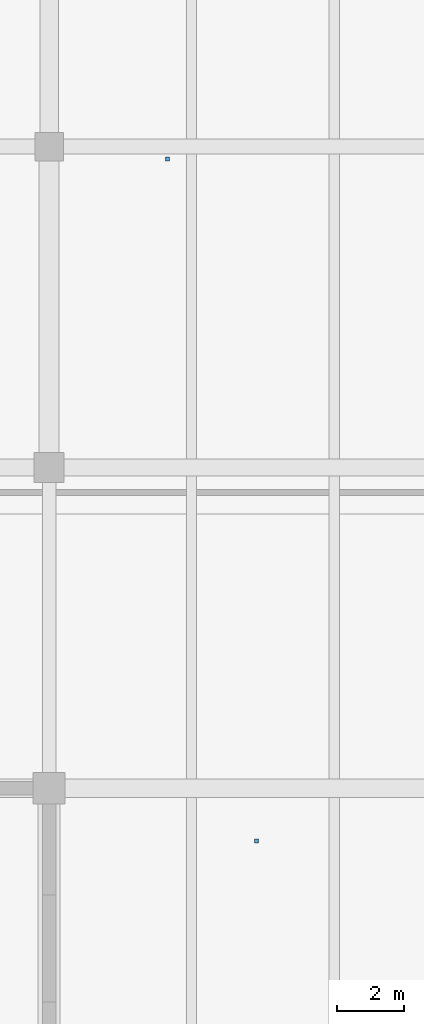
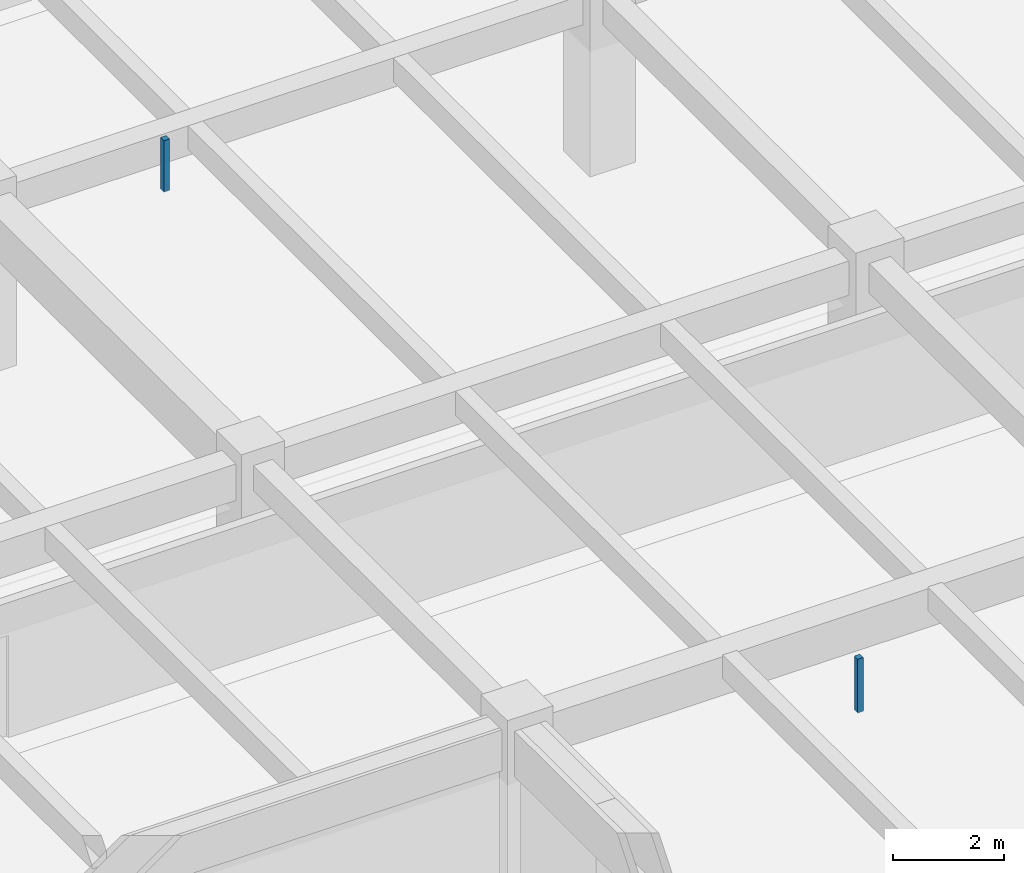
# One storey, part 18 of 28: 2 discrete accessories.
"""IFC4 building model written with IfcOpenShell, lengths in metres."""

from ifc_helpers import new_model, si_unit, direction, frame, origin, origin_2d, place, context, subcontext, project, spatial, rectangle, extrude, material, type_object, element, save


model = new_model("IFC4")

# Units and contexts
model_context = context("Model", 3, precision=1e-05, world=origin(), true_north=direction((0.0, 1.0)))
body_context = subcontext(model_context, "Body", "Model", "MODEL_VIEW")
ifc_project = project(units=[si_unit("LENGTHUNIT", "METRE"), si_unit("AREAUNIT", "SQUARE_METRE"), si_unit("VOLUMEUNIT", "CUBIC_METRE"), si_unit("PLANEANGLEUNIT", "RADIAN"), si_unit("MASSUNIT", "GRAM", prefix="KILO")], contexts=[model_context])

# Site, building, storey
site_placement = place(None, origin())
site = spatial("IfcSite", under=ifc_project, at=site_placement, CompositionType="ELEMENT")
building_placement = place(site_placement, origin())
building = spatial("IfcBuilding", under=site, at=building_placement, Name="Fikremerkos Civic Library", CompositionType="ELEMENT")
storey_placement = place(building_placement, frame((0.0, 0.0, -4.199951171875)))
storey = spatial("IfcBuildingStorey", under=building, at=storey_placement, Name="B01", CompositionType="ELEMENT", Elevation=-4.199951171875)

# Discrete accessories
ifc_material = material(Name="Galvanized Steel S275", Category="steel")
discrete_accessory_type = type_object("IfcDiscreteAccessoryType", Name="Ceiling hanger bracket BRK-01", PredefinedType="BRACKET", material=ifc_material)
discrete_accessory_1_placement = place(storey_placement, frame((150.75, 30.824951171875, 2.77001953125), z_axis=(0.0, 0.0, 1.0), x_axis=(1.0, 0.0, 0.0)))
element("IfcDiscreteAccessory", 1, at=discrete_accessory_1_placement, inside=storey, type_object=discrete_accessory_type, Name="Acoustic ceiling hanger bracket #14", PredefinedType="BRACKET", context=body_context, shape_type="SweptSolid", body=[
    extrude(rectangle(XDim=0.1201171875, YDim=0.1201171875, at=origin_2d()), origin(), (0.0, 0.0, 1.0), 1.1298828125),
])
discrete_accessory_2_placement = place(storey_placement, frame((153.39990234375, 10.425048828125, 2.759765625), z_axis=(0.0, 0.0, 1.0), x_axis=(1.0, 0.0, 0.0)))
element("IfcDiscreteAccessory", 2, at=discrete_accessory_2_placement, inside=storey, type_object=discrete_accessory_type, Name="Acoustic ceiling hanger bracket #16", PredefinedType="BRACKET", context=body_context, shape_type="SweptSolid", body=[
    extrude(rectangle(XDim=0.1201171875, YDim=0.1201171875, at=origin_2d()), origin(), (0.0, 0.0, 1.0), 1.179931640625),
])

save(model, "model.ifc")
